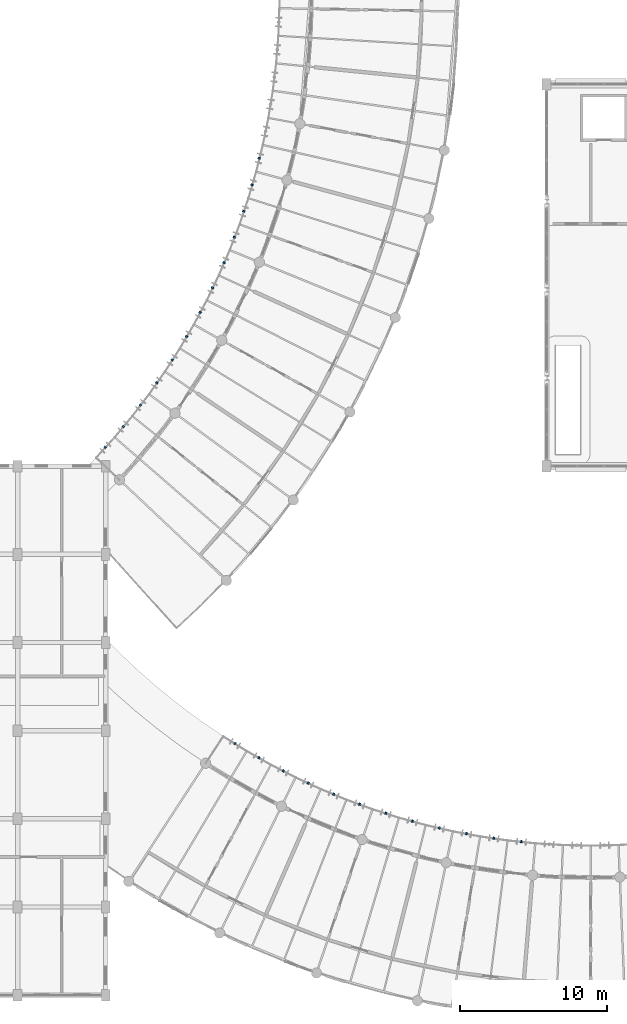
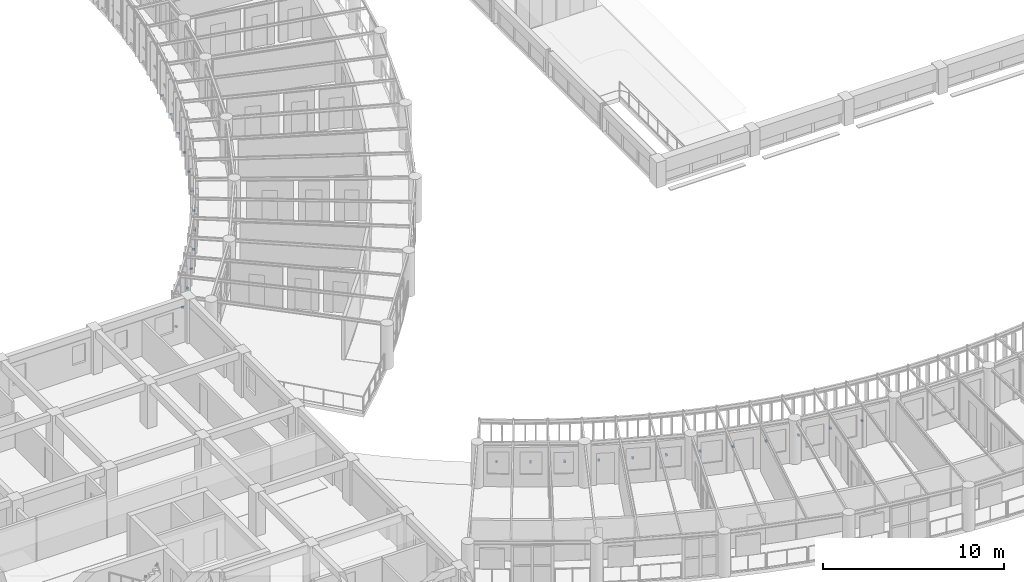
# One storey, part 117 of 137: 25 discrete accessories.
"""IFC4 building model written with IfcOpenShell, lengths in metres."""

from ifc_helpers import new_model, si_unit, direction, frame, origin, origin_2d, place, context, subcontext, project, spatial, rectangle, extrude, material, type_object, element, save


model = new_model("IFC4")

# Units and contexts
model_context = context("Model", 3, precision=1e-05, world=origin(), true_north=direction((0.0, 1.0)))
body_context = subcontext(model_context, "Body", "Model", "MODEL_VIEW")
ifc_project = project(units=[si_unit("LENGTHUNIT", "METRE"), si_unit("AREAUNIT", "SQUARE_METRE"), si_unit("VOLUMEUNIT", "CUBIC_METRE"), si_unit("PLANEANGLEUNIT", "RADIAN"), si_unit("MASSUNIT", "GRAM", prefix="KILO"), si_unit("POWERUNIT", "WATT"), si_unit("THERMODYNAMICTEMPERATUREUNIT", "KELVIN")], contexts=[model_context])

# Site, building, storey
site_placement = place(None, origin())
site = spatial("IfcSite", under=ifc_project, at=site_placement, CompositionType="ELEMENT")
building_placement = place(site_placement, origin())
building = spatial("IfcBuilding", under=site, at=building_placement, Name="Ruvembo Vaulted Housing Court", CompositionType="ELEMENT")
storey_placement = place(building_placement, frame((0.0, 0.0, 4.5)))
storey = spatial("IfcBuildingStorey", under=building, at=storey_placement, Name="L01", CompositionType="ELEMENT", Elevation=4.5)

# Discrete accessories
ifc_material = material(Name="Stainless Steel Grade 316", Category="steel")
discrete_accessory_type = type_object("IfcDiscreteAccessoryType", Name="ACC-BRACKET-SS", PredefinedType="BRACKET", material=ifc_material)
for number, where, z_axis, x_axis, name in (
    (1, (35.958984375, 43.282958984375, 0.030029296875), (0.0, 0.0, 1.0), (0.741601288413, -0.670840911859, 0.0), "Stainless Louvre Rail Bracket #1"),
    (2, (37.18896484375, 44.69970703125, 0.030029296875), (0.0, 0.0, 1.0), (0.768495749762, -0.63985489183, 0.0), "Stainless Louvre Rail Bracket #2"),
    (3, (38.359619140625, 46.166015625, 0.030029296875), (0.0, 0.0, 1.0), (0.794043447551, -0.607861006646, 0.0), "Stainless Louvre Rail Bracket #3"),
    (4, (39.46923828125, 47.6787109375, 0.030029296875), (0.0, 0.0, 1.0), (0.818280160918, -0.574819604962, 0.0), "Stainless Louvre Rail Bracket #4"),
    (5, (40.51611328125, 49.23583984375, 0.030029296875), (0.0, 0.0, 1.0), (0.841114539051, -0.540857034896, 0.0), "Stainless Louvre Rail Bracket #5"),
    (6, (41.498291015625, 50.83447265625, 0.030029296875), (0.0, 0.0, 1.0), (0.862619633753, -0.505853108583, 0.0), "Stainless Louvre Rail Bracket #6"),
    (7, (42.4140625, 52.471923828125, 0.030029296875), (0.0, 0.0, 1.0), (0.882586804261, -0.470149479362, 0.0), "Stainless Louvre Rail Bracket #7"),
    (8, (43.26220703125, 54.145751953125, 0.030029296875), (0.0, 0.0, 1.0), (0.901099726423, -0.433611903711, 0.0), "Stainless Louvre Rail Bracket #8"),
    (9, (44.040771484375, 55.852783203125, 0.030029296875), (0.0, 0.0, 1.0), (0.918121604514, -0.396298775325, 0.0), "Stainless Louvre Rail Bracket #9"),
    (10, (44.7490234375, 57.590087890625, 0.030029296875), (0.0, 0.0, 1.0), (0.933567916527, -0.358400537432, 0.0), "Stainless Louvre Rail Bracket #10"),
    (11, (45.385498046875, 59.355224609375, 0.030029296875), (0.0, 0.0, 1.0), (0.947472959386, -0.319835881714, 0.0), "Stainless Louvre Rail Bracket #11"),
    (12, (45.948974609375, 61.144775390625, 0.030029296875), (0.0, 0.0, 1.0), (0.959790594985, -0.280716963824, 0.0), "Stainless Louvre Rail Bracket #12"),
    (13, (46.438720703125, 62.9560546875, 0.030029296875), (0.0, 0.0, 1.0), (0.970481222826, -0.241176690711, 0.0), "Stainless Louvre Rail Bracket #13"),
    (14, (44.79638671875, 23.129150390625, 0.030029296875), (0.0, 0.0, 1.0), (-0.528556868381, -0.848897895443, 0.0), "Stainless Louvre Rail Bracket #96"),
    (15, (46.420166015625, 22.1640625, 0.030029296875), (0.0, 0.0, 1.0), (-0.493106983922, -0.86996867898, 0.0), "Stainless Louvre Rail Bracket #97"),
    (16, (48.082275390625, 21.266845703125, 0.030029296875), (0.0, 0.0, 1.0), (-0.456849537333, -0.889543984432, 0.0), "Stainless Louvre Rail Bracket #98"),
    (17, (49.780029296875, 20.438720703125, 0.030029296875), (0.0, 0.0, 1.0), (-0.419737248448, -0.90764565898, 0.0), "Stainless Louvre Rail Bracket #99"),
    (18, (51.510498046875, 19.681396484375, 0.030029296875), (0.0, 0.0, 1.0), (-0.381957701122, -0.924179806398, 0.0), "Stainless Louvre Rail Bracket #100"),
    (19, (53.2705078125, 18.99609375, 0.030029296875), (0.0, 0.0, 1.0), (-0.343512177766, -0.939148222447, 0.0), "Stainless Louvre Rail Bracket #101"),
    (20, (55.0576171875, 18.384033203125, 0.030029296875), (0.0, 0.0, 1.0), (-0.304448708958, -0.952528731122, 0.0), "Stainless Louvre Rail Bracket #102"),
    (21, (56.8681640625, 17.84619140625, 0.030029296875), (0.0, 0.0, 1.0), (-0.264983965035, -0.96425281865, 0.0), "Stainless Louvre Rail Bracket #103"),
    (22, (58.699462890625, 17.38330078125, 0.030029296875), (0.0, 0.0, 1.0), (-0.224951054344, -0.974370064785, 0.0), "Stainless Louvre Rail Bracket #104"),
    (23, (60.54833984375, 16.996337890625, 0.030029296875), (0.0, 0.0, 1.0), (-0.184568910756, -0.982819575091, 0.0), "Stainless Louvre Rail Bracket #105"),
    (24, (62.41162109375, 16.686279296875, 0.030029296875), (0.0, 0.0, 1.0), (-0.143872610257, -0.989596216655, 0.0), "Stainless Louvre Rail Bracket #106"),
    (25, (64.285888671875, 16.452880859375, 0.030029296875), (0.0, 0.0, 1.0), (-0.102948783072, -0.994686658232, 0.0), "Stainless Louvre Rail Bracket #107"),
):
    element("IfcDiscreteAccessory", number, at=place(storey_placement, frame(where, z_axis=z_axis, x_axis=x_axis)), inside=storey, type_object=discrete_accessory_type, Name=name, PredefinedType="BRACKET", context=body_context, shape_type="SweptSolid", body=[
        extrude(rectangle(XDim=0.159912109375, YDim=0.1201171875, at=origin_2d()), origin(), (0.0, 0.0, 1.0), 0.10009765625),
    ])

save(model, "model.ifc")
